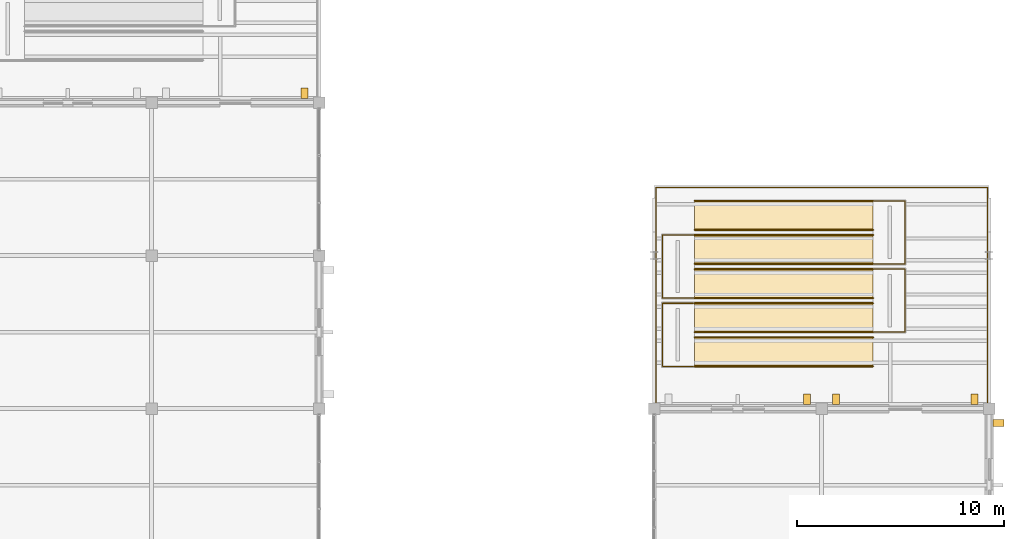
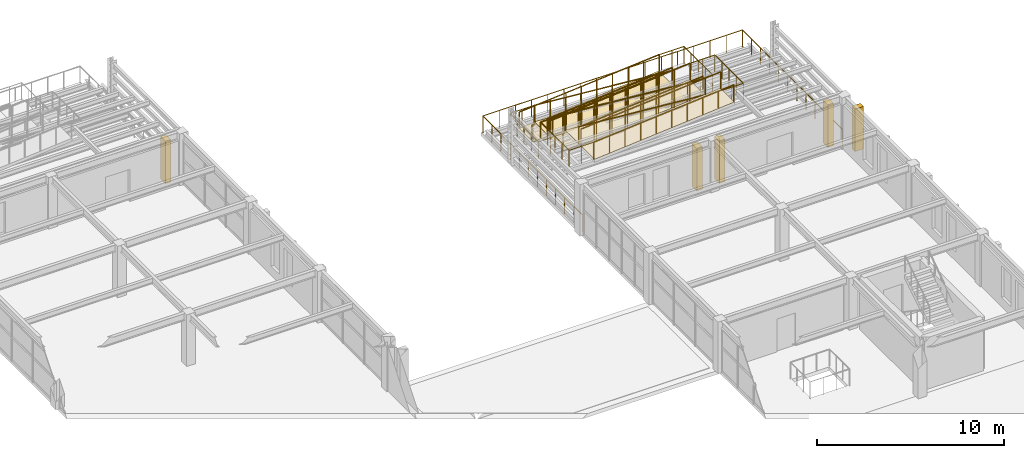
# One storey, part 121 of 121: 15 railings, 5 coverings, 5 shading devices.
"""IFC4 building model written with IfcOpenShell, lengths in metres."""

from ifc_helpers import new_model, si_unit, direction, frame, origin, origin_2d, place, context, subcontext, project, spatial, polyline, rectangle, circle, outline, extrude, material, layer, layer_set, type_object, element, save


model = new_model("IFC4")

# Units and contexts
model_context = context("Model", 3, precision=1e-05, world=origin(), true_north=direction((0.0, 1.0)))
body_context = subcontext(model_context, "Body", "Model", "MODEL_VIEW")
ifc_project = project(units=[si_unit("LENGTHUNIT", "METRE"), si_unit("AREAUNIT", "SQUARE_METRE"), si_unit("VOLUMEUNIT", "CUBIC_METRE"), si_unit("PLANEANGLEUNIT", "RADIAN"), si_unit("MASSUNIT", "GRAM", prefix="KILO")], contexts=[model_context])

# Site, building, storey
site_placement = place(None, origin())
site = spatial("IfcSite", under=ifc_project, at=site_placement, CompositionType="ELEMENT")
building_placement = place(site_placement, origin())
building = spatial("IfcBuilding", under=site, at=building_placement, Name="Cimatlan Art Gallery", CompositionType="ELEMENT")
storey_placement = place(building_placement, frame((0.0, 0.0, 10.199951171875)))
storey = spatial("IfcBuildingStorey", under=building, at=storey_placement, Name="L02", CompositionType="ELEMENT", Elevation=10.199951171875)

# Coverings
ifc_material_1 = material(Name="Queretaro cantera limestone ashlar hood-mould", Category="masonry")
ifc_layer = layer(ifc_material_1, 0.0419921875)
ifc_layer_set = layer_set([ifc_layer], Name="Queretaro cantera limestone ashlar hood-mould")
covering_type = type_object("IfcCoveringType", Name="COV-CLAD-CANTERA-42", PredefinedType="CLADDING", material=ifc_layer_set)
for number, where, z_axis, x_axis, name in (
    (1, (149.75, 76.89990234375, 0.0), (-0.08304314939, 0.0, 0.996545952447), (0.996545952447, 0.0, 0.08304314939), "COV-RMP-TER-B5-FL1"),
    (2, (149.75, 75.25, 1.43994140625), (0.08304314939, 0.0, 0.996545952447), (0.996545952447, 0.0, -0.08304314939), "COV-RMP-TER-B5-FL2"),
):
    element("IfcCovering", number, at=place(storey_placement, frame(where, z_axis=z_axis, x_axis=x_axis)), inside=storey, type_object=covering_type, Name=name, PredefinedType="CLADDING", context=body_context, shape_type="SweptSolid", body=[
        extrude(outline(polyline([(0.0, 0.0), (8.669838612967244, 0.0), (8.669838612967244, 1.5000000000000004), (0.0, 1.5000000000000004), (0.0, 0.0)])), origin(), (0.0, 0.0, -1.0), 0.02490234375),
    ])
covering_placement = place(storey_placement, frame((149.75, 73.60009765625, 1.43994140625), z_axis=(-0.083071114863, 0.0, 0.996543621662), x_axis=(0.996543621662, 0.0, 0.083071114863)))
element("IfcCovering", 3, at=covering_placement, inside=storey, type_object=covering_type, Name="COV-RMP-TER-B5-FL3", PredefinedType="CLADDING", context=body_context, shape_type="SweptSolid", body=[
    extrude(outline(polyline([(0.0, 0.0), (8.669858890587395, 0.0), (8.669858890587395, 1.4999999999999998), (0.0, 1.4999999999999998), (0.0, 0.0)])), origin(), (0.0, 0.0, -1.0), 0.02490234375),
])
for number, where, z_axis, x_axis, name in (
    (4, (149.75, 71.949951171875, 2.880126953125), (0.08304314939, 0.0, 0.996545952447), (0.996545952447, 0.0, -0.08304314939), "COV-RMP-TER-B5-FL4"),
    (5, (149.75, 70.300048828125, 2.880126953125), (-0.08304314939, 0.0, 0.996545952447), (0.996545952447, 0.0, 0.08304314939), "COV-RMP-TER-B5-FL5"),
):
    element("IfcCovering", number, at=place(storey_placement, frame(where, z_axis=z_axis, x_axis=x_axis)), inside=storey, type_object=covering_type, Name=name, PredefinedType="CLADDING", context=body_context, shape_type="SweptSolid", body=[
        extrude(outline(polyline([(0.0, 0.0), (8.669838612967244, 0.0), (8.669838612967244, 1.5000000000000004), (0.0, 1.5000000000000004), (0.0, 0.0)])), origin(), (0.0, 0.0, -1.0), 0.02490234375),
    ])

# Railings
ifc_material_2 = material(Name="Anodised bronze and laminated glass balustrade", Category="glass")
railing_type = type_object("IfcRailingType", Name="RL-BAL-EXT-1100", PredefinedType="BALUSTRADE", material=ifc_material_2)
for number, where, name in (
    (6, (149.75, 76.949951171875, 0.0), "RMP-TER-B5-GR-F1S"),
    (7, (149.75, 78.35009765625, 0.0), "RMP-TER-B5-GR-F1N"),
):
    element("IfcRailing", number, at=place(storey_placement, frame(where)), inside=storey, type_object=railing_type, Name=name, PredefinedType="BALUSTRADE", context=body_context, shape_type="SweptSolid", body=[
        extrude(circle(Radius=0.02587890625, at=origin_2d()), frame((0.0, 0.0, 1.09423828125), z_axis=(0.996545952447, 0.0, 0.08304314939), x_axis=(0.0, 1.0, 0.0)), (0.0, 0.0, 1.0), 8.669921875),
        extrude(circle(Radius=0.02099609375, at=origin_2d()), origin(), (0.0, 0.0, 1.0), 1.068115234375),
        extrude(circle(Radius=0.02099609375, at=origin_2d()), frame((0.9599609375, 0.0, 0.080078125)), (0.0, 0.0, 1.0), 1.068115234375),
        extrude(circle(Radius=0.02099609375, at=origin_2d()), frame((1.919921875, 0.0, 0.159912109375)), (0.0, 0.0, 1.0), 1.068115234375),
        extrude(circle(Radius=0.02099609375, at=origin_2d()), frame((2.8798828125, 0.0, 0.239990234375)), (0.0, 0.0, 1.0), 1.068115234375),
        extrude(circle(Radius=0.02099609375, at=origin_2d()), frame((3.83984375, 0.0, 0.320068359375)), (0.0, 0.0, 1.0), 1.068115234375),
        extrude(circle(Radius=0.02099609375, at=origin_2d()), frame((4.800048828125, 0.0, 0.39990234375)), (0.0, 0.0, 1.0), 1.068115234375),
        extrude(circle(Radius=0.02099609375, at=origin_2d()), frame((5.760009765625, 0.0, 0.47998046875)), (0.0, 0.0, 1.0), 1.068115234375),
        extrude(circle(Radius=0.02099609375, at=origin_2d()), frame((6.719970703125, 0.0, 0.56005859375)), (0.0, 0.0, 1.0), 1.068115234375),
        extrude(circle(Radius=0.02099609375, at=origin_2d()), frame((7.679931640625, 0.0, 0.639892578125)), (0.0, 0.0, 1.0), 1.068115234375),
        extrude(circle(Radius=0.02099609375, at=origin_2d()), frame((8.639892578125, 0.0, 0.719970703125)), (0.0, 0.0, 1.0), 1.068115234375),
    ])
railing_1_placement = place(storey_placement, frame((158.429931640625, 78.35009765625, 0.719970703125)))
element("IfcRailing", 8, at=railing_1_placement, inside=storey, type_object=railing_type, Name="RMP-TER-B5-GR-L1", PredefinedType="BALUSTRADE", context=body_context, shape_type="SweptSolid", body=[
    extrude(circle(Radius=0.02587890625, at=origin_2d()), frame((0.0, 0.0, 1.09423828125), z_axis=(1.0, 0.0, 0.0), x_axis=(0.0, 1.0, 0.0)), (0.0, 0.0, 1.0), 1.5),
    extrude(circle(Radius=0.02587890625, at=origin_2d()), frame((1.5, 0.0, 1.09423828125), z_axis=(0.0, -1.0, 0.0), x_axis=(1.0, 0.0, 0.0)), (0.0, 0.0, 1.0), 3.050048828125),
    extrude(circle(Radius=0.02587890625, at=origin_2d()), frame((1.5, -3.050048828125, 1.09423828125), z_axis=(-1.0, 0.0, 0.0), x_axis=(0.0, -1.0, 0.0)), (0.0, 0.0, 1.0), 1.5),
    extrude(circle(Radius=0.02099609375, at=origin_2d()), origin(), (0.0, 0.0, 1.0), 1.068115234375),
    extrude(circle(Radius=0.02099609375, at=origin_2d()), frame((0.75, 0.0, 0.0)), (0.0, 0.0, 1.0), 1.068115234375),
    extrude(circle(Radius=0.02099609375, at=origin_2d()), frame((1.5, 0.0, 0.0)), (0.0, 0.0, 1.0), 1.068115234375),
    extrude(circle(Radius=0.02099609375, at=origin_2d()), frame((1.5, -0.762451171875, 0.0)), (0.0, 0.0, 1.0), 1.068115234375),
    extrude(circle(Radius=0.02099609375, at=origin_2d()), frame((1.5, -1.52490234375, 0.0)), (0.0, 0.0, 1.0), 1.068115234375),
    extrude(circle(Radius=0.02099609375, at=origin_2d()), frame((1.5, -2.28759765625, 0.0)), (0.0, 0.0, 1.0), 1.068115234375),
    extrude(circle(Radius=0.02099609375, at=origin_2d()), frame((1.5, -3.050048828125, 0.0)), (0.0, 0.0, 1.0), 1.068115234375),
    extrude(circle(Radius=0.02099609375, at=origin_2d()), frame((0.75, -3.050048828125, 0.0)), (0.0, 0.0, 1.0), 1.068115234375),
    extrude(circle(Radius=0.02099609375, at=origin_2d()), frame((0.0, -3.050048828125, 0.0)), (0.0, 0.0, 1.0), 1.068115234375),
])
for number, where, name in (
    (9, (158.389892578125, 75.300048828125, 0.719970703125), "RMP-TER-B5-GR-F2S"),
    (10, (158.389892578125, 76.699951171875, 0.719970703125), "RMP-TER-B5-GR-F2N"),
):
    element("IfcRailing", number, at=place(storey_placement, frame(where)), inside=storey, type_object=railing_type, Name=name, PredefinedType="BALUSTRADE", context=body_context, shape_type="SweptSolid", body=[
        extrude(circle(Radius=0.02587890625, at=origin_2d()), frame((0.0, 0.0, 1.09423828125), z_axis=(-0.996545952447, 0.0, 0.08304314939), x_axis=(0.0, -1.0, 0.0)), (0.0, 0.0, 1.0), 8.669921875),
        extrude(circle(Radius=0.02099609375, at=origin_2d()), origin(), (0.0, 0.0, 1.0), 1.068115234375),
        extrude(circle(Radius=0.02099609375, at=origin_2d()), frame((-0.9599609375, 0.0, 0.080078125)), (0.0, 0.0, 1.0), 1.068115234375),
        extrude(circle(Radius=0.02099609375, at=origin_2d()), frame((-1.919921875, 0.0, 0.159912109375)), (0.0, 0.0, 1.0), 1.068115234375),
        extrude(circle(Radius=0.02099609375, at=origin_2d()), frame((-2.8798828125, 0.0, 0.239990234375)), (0.0, 0.0, 1.0), 1.068115234375),
        extrude(circle(Radius=0.02099609375, at=origin_2d()), frame((-3.83984375, 0.0, 0.320068359375)), (0.0, 0.0, 1.0), 1.068115234375),
        extrude(circle(Radius=0.02099609375, at=origin_2d()), frame((-4.800048828125, 0.0, 0.39990234375)), (0.0, 0.0, 1.0), 1.068115234375),
        extrude(circle(Radius=0.02099609375, at=origin_2d()), frame((-5.760009765625, 0.0, 0.47998046875)), (0.0, 0.0, 1.0), 1.068115234375),
        extrude(circle(Radius=0.02099609375, at=origin_2d()), frame((-6.719970703125, 0.0, 0.56005859375)), (0.0, 0.0, 1.0), 1.068115234375),
        extrude(circle(Radius=0.02099609375, at=origin_2d()), frame((-7.679931640625, 0.0, 0.639892578125)), (0.0, 0.0, 1.0), 1.068115234375),
        extrude(circle(Radius=0.02099609375, at=origin_2d()), frame((-8.639892578125, 0.0, 0.719970703125)), (0.0, 0.0, 1.0), 1.068115234375),
    ])
railing_2_placement = place(storey_placement, frame((149.7099609375, 76.699951171875, 1.43994140625)))
element("IfcRailing", 11, at=railing_2_placement, inside=storey, type_object=railing_type, Name="RMP-TER-B5-GR-L2", PredefinedType="BALUSTRADE", context=body_context, shape_type="SweptSolid", body=[
    extrude(circle(Radius=0.02587890625, at=origin_2d()), frame((0.0, 0.0, 1.09423828125), z_axis=(-1.0, 0.0, 0.0), x_axis=(0.0, -1.0, 0.0)), (0.0, 0.0, 1.0), 1.5),
    extrude(circle(Radius=0.02587890625, at=origin_2d()), frame((-1.5, 0.0, 1.09423828125), z_axis=(0.0, -1.0, 0.0), x_axis=(1.0, 0.0, 0.0)), (0.0, 0.0, 1.0), 3.050048828125),
    extrude(circle(Radius=0.02587890625, at=origin_2d()), frame((-1.5, -3.050048828125, 1.09423828125), z_axis=(1.0, 0.0, 0.0), x_axis=(0.0, 1.0, 0.0)), (0.0, 0.0, 1.0), 1.5),
    extrude(circle(Radius=0.02099609375, at=origin_2d()), origin(), (0.0, 0.0, 1.0), 1.068115234375),
    extrude(circle(Radius=0.02099609375, at=origin_2d()), frame((-0.75, 0.0, 0.0)), (0.0, 0.0, 1.0), 1.068115234375),
    extrude(circle(Radius=0.02099609375, at=origin_2d()), frame((-1.5, 0.0, 0.0)), (0.0, 0.0, 1.0), 1.068115234375),
    extrude(circle(Radius=0.02099609375, at=origin_2d()), frame((-1.5, -0.762451171875, 0.0)), (0.0, 0.0, 1.0), 1.068115234375),
    extrude(circle(Radius=0.02099609375, at=origin_2d()), frame((-1.5, -1.52490234375, 0.0)), (0.0, 0.0, 1.0), 1.068115234375),
    extrude(circle(Radius=0.02099609375, at=origin_2d()), frame((-1.5, -2.28759765625, 0.0)), (0.0, 0.0, 1.0), 1.068115234375),
    extrude(circle(Radius=0.02099609375, at=origin_2d()), frame((-1.5, -3.050048828125, 0.0)), (0.0, 0.0, 1.0), 1.068115234375),
    extrude(circle(Radius=0.02099609375, at=origin_2d()), frame((-0.75, -3.050048828125, 0.0)), (0.0, 0.0, 1.0), 1.068115234375),
    extrude(circle(Radius=0.02099609375, at=origin_2d()), frame((0.0, -3.050048828125, 0.0)), (0.0, 0.0, 1.0), 1.068115234375),
])
for number, where, name in (
    (12, (149.75, 73.64990234375, 1.43994140625), "RMP-TER-B5-GR-F3S"),
    (13, (149.75, 75.050048828125, 1.43994140625), "RMP-TER-B5-GR-F3N"),
):
    element("IfcRailing", number, at=place(storey_placement, frame(where)), inside=storey, type_object=railing_type, Name=name, PredefinedType="BALUSTRADE", context=body_context, shape_type="SweptSolid", body=[
        extrude(circle(Radius=0.02587890625, at=origin_2d()), frame((0.0, 0.0, 1.09423828125), z_axis=(0.996543621662, 0.0, 0.083071114863), x_axis=(0.0, 1.0, 0.0)), (0.0, 0.0, 1.0), 8.669921875),
        extrude(circle(Radius=0.02099609375, at=origin_2d()), origin(), (0.0, 0.0, 1.0), 1.068115234375),
        extrude(circle(Radius=0.02099609375, at=origin_2d()), frame((0.9599609375, 0.0, 0.080078125)), (0.0, 0.0, 1.0), 1.068115234375),
        extrude(circle(Radius=0.02099609375, at=origin_2d()), frame((1.919921875, 0.0, 0.16015625)), (0.0, 0.0, 1.0), 1.068115234375),
        extrude(circle(Radius=0.02099609375, at=origin_2d()), frame((2.8798828125, 0.0, 0.239990234375)), (0.0, 0.0, 1.0), 1.068115234375),
        extrude(circle(Radius=0.02099609375, at=origin_2d()), frame((3.83984375, 0.0, 0.320068359375)), (0.0, 0.0, 1.0), 1.068115234375),
        extrude(circle(Radius=0.02099609375, at=origin_2d()), frame((4.800048828125, 0.0, 0.400146484375)), (0.0, 0.0, 1.0), 1.068115234375),
        extrude(circle(Radius=0.02099609375, at=origin_2d()), frame((5.760009765625, 0.0, 0.480224609375)), (0.0, 0.0, 1.0), 1.068115234375),
        extrude(circle(Radius=0.02099609375, at=origin_2d()), frame((6.719970703125, 0.0, 0.56005859375)), (0.0, 0.0, 1.0), 1.068115234375),
        extrude(circle(Radius=0.02099609375, at=origin_2d()), frame((7.679931640625, 0.0, 0.64013671875)), (0.0, 0.0, 1.0), 1.068115234375),
        extrude(circle(Radius=0.02099609375, at=origin_2d()), frame((8.639892578125, 0.0, 0.72021484375)), (0.0, 0.0, 1.0), 1.068115234375),
    ])
railing_3_placement = place(storey_placement, frame((158.429931640625, 75.050048828125, 2.16015625)))
element("IfcRailing", 14, at=railing_3_placement, inside=storey, type_object=railing_type, Name="RMP-TER-B5-GR-L3", PredefinedType="BALUSTRADE", context=body_context, shape_type="SweptSolid", body=[
    extrude(circle(Radius=0.02587890625, at=origin_2d()), frame((0.0, 0.0, 1.09423828125), z_axis=(1.0, 0.0, 0.0), x_axis=(0.0, 1.0, 0.0)), (0.0, 0.0, 1.0), 1.5),
    extrude(circle(Radius=0.02587890625, at=origin_2d()), frame((1.5, 0.0, 1.09423828125), z_axis=(0.0, -1.0, 0.0), x_axis=(1.0, 0.0, 0.0)), (0.0, 0.0, 1.0), 3.050048828125),
    extrude(circle(Radius=0.02587890625, at=origin_2d()), frame((1.5, -3.050048828125, 1.09423828125), z_axis=(-1.0, 0.0, 0.0), x_axis=(0.0, -1.0, 0.0)), (0.0, 0.0, 1.0), 1.5),
    extrude(circle(Radius=0.02099609375, at=origin_2d()), origin(), (0.0, 0.0, 1.0), 1.068115234375),
    extrude(circle(Radius=0.02099609375, at=origin_2d()), frame((0.75, 0.0, 0.0)), (0.0, 0.0, 1.0), 1.068115234375),
    extrude(circle(Radius=0.02099609375, at=origin_2d()), frame((1.5, 0.0, 0.0)), (0.0, 0.0, 1.0), 1.068115234375),
    extrude(circle(Radius=0.02099609375, at=origin_2d()), frame((1.5, -0.762451171875, 0.0)), (0.0, 0.0, 1.0), 1.068115234375),
    extrude(circle(Radius=0.02099609375, at=origin_2d()), frame((1.5, -1.52490234375, 0.0)), (0.0, 0.0, 1.0), 1.068115234375),
    extrude(circle(Radius=0.02099609375, at=origin_2d()), frame((1.5, -2.28759765625, 0.0)), (0.0, 0.0, 1.0), 1.068115234375),
    extrude(circle(Radius=0.02099609375, at=origin_2d()), frame((1.5, -3.050048828125, 0.0)), (0.0, 0.0, 1.0), 1.068115234375),
    extrude(circle(Radius=0.02099609375, at=origin_2d()), frame((0.75, -3.050048828125, 0.0)), (0.0, 0.0, 1.0), 1.068115234375),
    extrude(circle(Radius=0.02099609375, at=origin_2d()), frame((0.0, -3.050048828125, 0.0)), (0.0, 0.0, 1.0), 1.068115234375),
])
for number, where, name in (
    (15, (158.389892578125, 72.0, 2.16015625), "RMP-TER-B5-GR-F4S"),
    (16, (158.389892578125, 73.39990234375, 2.16015625), "RMP-TER-B5-GR-F4N"),
):
    element("IfcRailing", number, at=place(storey_placement, frame(where)), inside=storey, type_object=railing_type, Name=name, PredefinedType="BALUSTRADE", context=body_context, shape_type="SweptSolid", body=[
        extrude(circle(Radius=0.02587890625, at=origin_2d()), frame((0.0, 0.0, 1.09423828125), z_axis=(-0.996545952447, 0.0, 0.08304314939), x_axis=(0.0, -1.0, 0.0)), (0.0, 0.0, 1.0), 8.669921875),
        extrude(circle(Radius=0.02099609375, at=origin_2d()), origin(), (0.0, 0.0, 1.0), 1.068115234375),
        extrude(circle(Radius=0.02099609375, at=origin_2d()), frame((-0.9599609375, 0.0, 0.080078125)), (0.0, 0.0, 1.0), 1.068115234375),
        extrude(circle(Radius=0.02099609375, at=origin_2d()), frame((-1.919921875, 0.0, 0.159912109375)), (0.0, 0.0, 1.0), 1.068115234375),
        extrude(circle(Radius=0.02099609375, at=origin_2d()), frame((-2.8798828125, 0.0, 0.239990234375)), (0.0, 0.0, 1.0), 1.068115234375),
        extrude(circle(Radius=0.02099609375, at=origin_2d()), frame((-3.83984375, 0.0, 0.320068359375)), (0.0, 0.0, 1.0), 1.068115234375),
        extrude(circle(Radius=0.02099609375, at=origin_2d()), frame((-4.800048828125, 0.0, 0.39990234375)), (0.0, 0.0, 1.0), 1.068115234375),
        extrude(circle(Radius=0.02099609375, at=origin_2d()), frame((-5.760009765625, 0.0, 0.47998046875)), (0.0, 0.0, 1.0), 1.068115234375),
        extrude(circle(Radius=0.02099609375, at=origin_2d()), frame((-6.719970703125, 0.0, 0.56005859375)), (0.0, 0.0, 1.0), 1.068115234375),
        extrude(circle(Radius=0.02099609375, at=origin_2d()), frame((-7.679931640625, 0.0, 0.639892578125)), (0.0, 0.0, 1.0), 1.068115234375),
        extrude(circle(Radius=0.02099609375, at=origin_2d()), frame((-8.639892578125, 0.0, 0.719970703125)), (0.0, 0.0, 1.0), 1.068115234375),
    ])
railing_4_placement = place(storey_placement, frame((149.7099609375, 73.39990234375, 2.880126953125)))
element("IfcRailing", 17, at=railing_4_placement, inside=storey, type_object=railing_type, Name="RMP-TER-B5-GR-L4", PredefinedType="BALUSTRADE", context=body_context, shape_type="SweptSolid", body=[
    extrude(circle(Radius=0.02587890625, at=origin_2d()), frame((0.0, 0.0, 1.09423828125), z_axis=(-1.0, 0.0, 0.0), x_axis=(0.0, -1.0, 0.0)), (0.0, 0.0, 1.0), 1.5),
    extrude(circle(Radius=0.02587890625, at=origin_2d()), frame((-1.5, 0.0, 1.09423828125), z_axis=(0.0, -1.0, 0.0), x_axis=(1.0, 0.0, 0.0)), (0.0, 0.0, 1.0), 3.0498046875),
    extrude(circle(Radius=0.02587890625, at=origin_2d()), frame((-1.5, -3.0498046875, 1.09423828125), z_axis=(1.0, 0.0, 0.0), x_axis=(0.0, 1.0, 0.0)), (0.0, 0.0, 1.0), 1.5),
    extrude(circle(Radius=0.02099609375, at=origin_2d()), origin(), (0.0, 0.0, 1.0), 1.068115234375),
    extrude(circle(Radius=0.02099609375, at=origin_2d()), frame((-0.75, 0.0, 0.0)), (0.0, 0.0, 1.0), 1.068115234375),
    extrude(circle(Radius=0.02099609375, at=origin_2d()), frame((-1.5, 0.0, 0.0)), (0.0, 0.0, 1.0), 1.068115234375),
    extrude(circle(Radius=0.02099609375, at=origin_2d()), frame((-1.5, -0.762451171875, 0.0)), (0.0, 0.0, 1.0), 1.068115234375),
    extrude(circle(Radius=0.02099609375, at=origin_2d()), frame((-1.5, -1.52490234375, 0.0)), (0.0, 0.0, 1.0), 1.068115234375),
    extrude(circle(Radius=0.02099609375, at=origin_2d()), frame((-1.5, -2.287353515625, 0.0)), (0.0, 0.0, 1.0), 1.068115234375),
    extrude(circle(Radius=0.02099609375, at=origin_2d()), frame((-1.5, -3.0498046875, 0.0)), (0.0, 0.0, 1.0), 1.068115234375),
    extrude(circle(Radius=0.02099609375, at=origin_2d()), frame((-0.75, -3.0498046875, 0.0)), (0.0, 0.0, 1.0), 1.068115234375),
    extrude(circle(Radius=0.02099609375, at=origin_2d()), frame((0.0, -3.0498046875, 0.0)), (0.0, 0.0, 1.0), 1.068115234375),
])
for number, where, name in (
    (18, (149.75, 70.35009765625, 2.880126953125), "RMP-TER-B5-GR-F5S"),
    (19, (149.75, 71.75, 2.880126953125), "RMP-TER-B5-GR-F5N"),
):
    element("IfcRailing", number, at=place(storey_placement, frame(where)), inside=storey, type_object=railing_type, Name=name, PredefinedType="BALUSTRADE", context=body_context, shape_type="SweptSolid", body=[
        extrude(circle(Radius=0.02587890625, at=origin_2d()), frame((0.0, 0.0, 1.09423828125), z_axis=(0.996545952447, 0.0, 0.08304314939), x_axis=(0.0, 1.0, 0.0)), (0.0, 0.0, 1.0), 8.669921875),
        extrude(circle(Radius=0.02099609375, at=origin_2d()), origin(), (0.0, 0.0, 1.0), 1.068115234375),
        extrude(circle(Radius=0.02099609375, at=origin_2d()), frame((0.9599609375, 0.0, 0.080078125)), (0.0, 0.0, 1.0), 1.068115234375),
        extrude(circle(Radius=0.02099609375, at=origin_2d()), frame((1.919921875, 0.0, 0.159912109375)), (0.0, 0.0, 1.0), 1.068115234375),
        extrude(circle(Radius=0.02099609375, at=origin_2d()), frame((2.8798828125, 0.0, 0.239990234375)), (0.0, 0.0, 1.0), 1.068115234375),
        extrude(circle(Radius=0.02099609375, at=origin_2d()), frame((3.83984375, 0.0, 0.320068359375)), (0.0, 0.0, 1.0), 1.068115234375),
        extrude(circle(Radius=0.02099609375, at=origin_2d()), frame((4.800048828125, 0.0, 0.39990234375)), (0.0, 0.0, 1.0), 1.068115234375),
        extrude(circle(Radius=0.02099609375, at=origin_2d()), frame((5.760009765625, 0.0, 0.47998046875)), (0.0, 0.0, 1.0), 1.068115234375),
        extrude(circle(Radius=0.02099609375, at=origin_2d()), frame((6.719970703125, 0.0, 0.56005859375)), (0.0, 0.0, 1.0), 1.068115234375),
        extrude(circle(Radius=0.02099609375, at=origin_2d()), frame((7.679931640625, 0.0, 0.639892578125)), (0.0, 0.0, 1.0), 1.068115234375),
        extrude(circle(Radius=0.02099609375, at=origin_2d()), frame((8.639892578125, 0.0, 0.719970703125)), (0.0, 0.0, 1.0), 1.068115234375),
    ])
railing_5_placement = place(storey_placement, frame((147.8798828125, 68.320068359375, 0.0)))
element("IfcRailing", 20, at=railing_5_placement, inside=storey, type_object=railing_type, Name="GR-TER-05", PredefinedType="BALUSTRADE", context=body_context, shape_type="SweptSolid", body=[
    extrude(circle(Radius=0.02587890625, at=origin_2d()), frame((0.0, 0.0, 1.09423828125), z_axis=(0.0, 1.0, 0.0), x_axis=(-1.0, 0.0, 0.0)), (0.0, 0.0, 1.0), 10.68212890625),
    extrude(circle(Radius=0.02587890625, at=origin_2d()), frame((0.0, 10.68212890625, 1.09423828125), z_axis=(1.0, 0.0, 0.0), x_axis=(0.0, 1.0, 0.0)), (0.0, 0.0, 1.0), 16.0400390625),
    extrude(circle(Radius=0.02587890625, at=origin_2d()), frame((16.0400390625, 10.68212890625, 1.09423828125), z_axis=(0.0, -1.0, 0.0), x_axis=(1.0, 0.0, 0.0)), (0.0, 0.0, 1.0), 10.68212890625),
    extrude(circle(Radius=0.02099609375, at=origin_2d()), origin(), (0.0, 0.0, 1.0), 1.068115234375),
    extrude(circle(Radius=0.02099609375, at=origin_2d()), frame((0.0, 0.97119140625, 0.0)), (0.0, 0.0, 1.0), 1.068115234375),
    extrude(circle(Radius=0.02099609375, at=origin_2d()), frame((0.0, 1.942138671875, 0.0)), (0.0, 0.0, 1.0), 1.068115234375),
    extrude(circle(Radius=0.02099609375, at=origin_2d()), frame((0.0, 2.913330078125, 0.0)), (0.0, 0.0, 1.0), 1.068115234375),
    extrude(circle(Radius=0.02099609375, at=origin_2d()), frame((0.0, 3.884521484375, 0.0)), (0.0, 0.0, 1.0), 1.068115234375),
    extrude(circle(Radius=0.02099609375, at=origin_2d()), frame((0.0, 4.85546875, 0.0)), (0.0, 0.0, 1.0), 1.068115234375),
    extrude(circle(Radius=0.02099609375, at=origin_2d()), frame((0.0, 5.82666015625, 0.0)), (0.0, 0.0, 1.0), 1.068115234375),
    extrude(circle(Radius=0.02099609375, at=origin_2d()), frame((0.0, 6.797607421875, 0.0)), (0.0, 0.0, 1.0), 1.068115234375),
    extrude(circle(Radius=0.02099609375, at=origin_2d()), frame((0.0, 7.768798828125, 0.0)), (0.0, 0.0, 1.0), 1.068115234375),
    extrude(circle(Radius=0.02099609375, at=origin_2d()), frame((0.0, 8.739990234375, 0.0)), (0.0, 0.0, 1.0), 1.068115234375),
    extrude(circle(Radius=0.02099609375, at=origin_2d()), frame((0.0, 9.7109375, 0.0)), (0.0, 0.0, 1.0), 1.068115234375),
    extrude(circle(Radius=0.02099609375, at=origin_2d()), frame((0.0, 10.68212890625, 0.0)), (0.0, 0.0, 1.0), 1.068115234375),
    extrude(circle(Radius=0.02099609375, at=origin_2d()), frame((1.00244140625, 10.68212890625, 0.0)), (0.0, 0.0, 1.0), 1.068115234375),
    extrude(circle(Radius=0.02099609375, at=origin_2d()), frame((2.0048828125, 10.68212890625, 0.0)), (0.0, 0.0, 1.0), 1.068115234375),
    extrude(circle(Radius=0.02099609375, at=origin_2d()), frame((3.007568359375, 10.68212890625, 0.0)), (0.0, 0.0, 1.0), 1.068115234375),
    extrude(circle(Radius=0.02099609375, at=origin_2d()), frame((4.010009765625, 10.68212890625, 0.0)), (0.0, 0.0, 1.0), 1.068115234375),
    extrude(circle(Radius=0.02099609375, at=origin_2d()), frame((5.012451171875, 10.68212890625, 0.0)), (0.0, 0.0, 1.0), 1.068115234375),
    extrude(circle(Radius=0.02099609375, at=origin_2d()), frame((6.01513671875, 10.68212890625, 0.0)), (0.0, 0.0, 1.0), 1.068115234375),
    extrude(circle(Radius=0.02099609375, at=origin_2d()), frame((7.017578125, 10.68212890625, 0.0)), (0.0, 0.0, 1.0), 1.068115234375),
    extrude(circle(Radius=0.02099609375, at=origin_2d()), frame((8.02001953125, 10.68212890625, 0.0)), (0.0, 0.0, 1.0), 1.068115234375),
    extrude(circle(Radius=0.02099609375, at=origin_2d()), frame((9.0224609375, 10.68212890625, 0.0)), (0.0, 0.0, 1.0), 1.068115234375),
    extrude(circle(Radius=0.02099609375, at=origin_2d()), frame((10.02490234375, 10.68212890625, 0.0)), (0.0, 0.0, 1.0), 1.068115234375),
    extrude(circle(Radius=0.02099609375, at=origin_2d()), frame((11.027587890625, 10.68212890625, 0.0)), (0.0, 0.0, 1.0), 1.068115234375),
    extrude(circle(Radius=0.02099609375, at=origin_2d()), frame((12.030029296875, 10.68212890625, 0.0)), (0.0, 0.0, 1.0), 1.068115234375),
    extrude(circle(Radius=0.02099609375, at=origin_2d()), frame((13.032470703125, 10.68212890625, 0.0)), (0.0, 0.0, 1.0), 1.068115234375),
    extrude(circle(Radius=0.02099609375, at=origin_2d()), frame((14.03515625, 10.68212890625, 0.0)), (0.0, 0.0, 1.0), 1.068115234375),
    extrude(circle(Radius=0.02099609375, at=origin_2d()), frame((15.03759765625, 10.68212890625, 0.0)), (0.0, 0.0, 1.0), 1.068115234375),
    extrude(circle(Radius=0.02099609375, at=origin_2d()), frame((16.0400390625, 10.68212890625, 0.0)), (0.0, 0.0, 1.0), 1.068115234375),
    extrude(circle(Radius=0.02099609375, at=origin_2d()), frame((16.0400390625, 9.7109375, 0.0)), (0.0, 0.0, 1.0), 1.068115234375),
    extrude(circle(Radius=0.02099609375, at=origin_2d()), frame((16.0400390625, 8.739990234375, 0.0)), (0.0, 0.0, 1.0), 1.068115234375),
    extrude(circle(Radius=0.02099609375, at=origin_2d()), frame((16.0400390625, 7.768798828125, 0.0)), (0.0, 0.0, 1.0), 1.068115234375),
    extrude(circle(Radius=0.02099609375, at=origin_2d()), frame((16.0400390625, 6.797607421875, 0.0)), (0.0, 0.0, 1.0), 1.068115234375),
    extrude(circle(Radius=0.02099609375, at=origin_2d()), frame((16.0400390625, 5.82666015625, 0.0)), (0.0, 0.0, 1.0), 1.068115234375),
    extrude(circle(Radius=0.02099609375, at=origin_2d()), frame((16.0400390625, 4.85546875, 0.0)), (0.0, 0.0, 1.0), 1.068115234375),
    extrude(circle(Radius=0.02099609375, at=origin_2d()), frame((16.0400390625, 3.884521484375, 0.0)), (0.0, 0.0, 1.0), 1.068115234375),
    extrude(circle(Radius=0.02099609375, at=origin_2d()), frame((16.0400390625, 2.913330078125, 0.0)), (0.0, 0.0, 1.0), 1.068115234375),
    extrude(circle(Radius=0.02099609375, at=origin_2d()), frame((16.0400390625, 1.942138671875, 0.0)), (0.0, 0.0, 1.0), 1.068115234375),
    extrude(circle(Radius=0.02099609375, at=origin_2d()), frame((16.0400390625, 0.97119140625, 0.0)), (0.0, 0.0, 1.0), 1.068115234375),
    extrude(circle(Radius=0.02099609375, at=origin_2d()), frame((16.0400390625, 0.0, 0.0)), (0.0, 0.0, 1.0), 1.068115234375),
])

# Shading devices
ifc_material_3 = material(Name="Queretaro cantera limestone buttress pilaster", Category="masonry")
shading_device_type = type_object("IfcShadingDeviceType", Name="SHD-BUT-520", PredefinedType="USERDEFINED", material=ifc_material_3)
for number, where, z_axis, x_axis, name in (
    (21, (130.90087890625, 83.55810546875, 0.06005859375), (0.0, 0.0, 1.0), (1.0, 0.0, 0.0), "BUT-0312"),
    (22, (155.200927734375, 68.758056640625, 0.06005859375), (0.0, 0.0, 1.0), (1.0, 0.0, 0.0), "BUT-0320"),
    (23, (156.59912109375, 68.758056640625, 0.06005859375), (0.0, 0.0, 1.0), (1.0, 0.0, 0.0), "BUT-0333"),
    (24, (163.301025390625, 68.758056640625, 0.06005859375), (0.0, 0.0, 1.0), (1.0, 0.0, 0.0), "BUT-0334"),
    (25, (164.4580078125, 67.60107421875, 0.06005859375), (0.0, 0.0, 1.0), (0.0, -1.0, 0.0), "BUT-0335"),
):
    element("IfcShadingDevice", number, at=place(storey_placement, frame(where, z_axis=z_axis, x_axis=x_axis)), inside=storey, type_object=shading_device_type, Name=name, ObjectType="FIN", PredefinedType="USERDEFINED", context=body_context, shape_type="SweptSolid", body=[
        extrude(rectangle(XDim=0.340087890625, YDim=0.52001953125, at=origin_2d()), origin(), (0.0, 0.0, 1.0), 2.778076171875),
    ])

save(model, "model.ifc")
